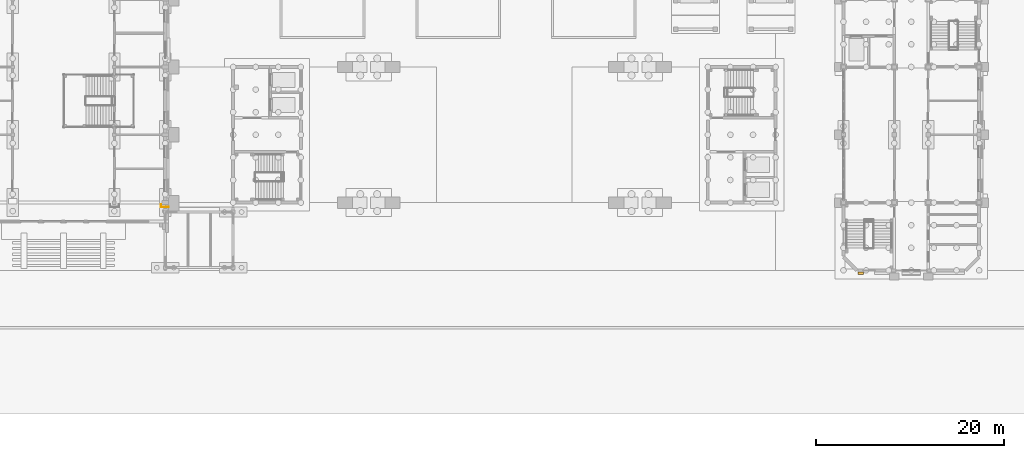
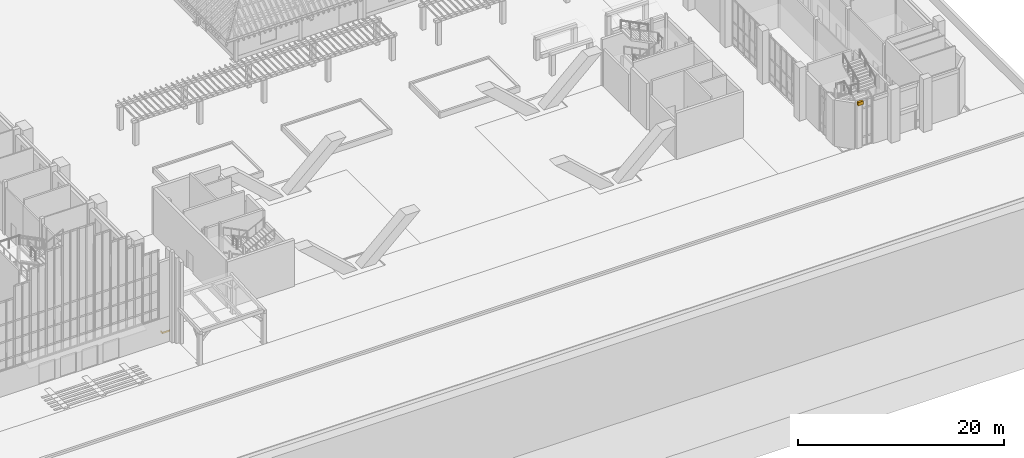
# One storey, part 82 of 84: 2 coverings.
"""IFC4 building model written with IfcOpenShell, lengths in metres."""

from ifc_helpers import new_model, si_unit, direction, frame, origin, place, context, subcontext, project, spatial, polyline, outline, extrude, material, layer, layer_set, type_object, element, save


model = new_model("IFC4")

# Units and contexts
model_context = context("Model", 3, precision=1e-05, world=origin(), true_north=direction((0.0, 1.0)))
body_context = subcontext(model_context, "Body", "Model", "MODEL_VIEW")
ifc_project = project(units=[si_unit("LENGTHUNIT", "METRE"), si_unit("AREAUNIT", "SQUARE_METRE"), si_unit("VOLUMEUNIT", "CUBIC_METRE"), si_unit("PLANEANGLEUNIT", "RADIAN"), si_unit("MASSUNIT", "GRAM", prefix="KILO")], contexts=[model_context])

# Site, building, storey
site_placement = place(None, origin())
site = spatial("IfcSite", under=ifc_project, at=site_placement, CompositionType="ELEMENT")
building_placement = place(site_placement, origin())
building = spatial("IfcBuilding", under=site, at=building_placement, Name="Mazhai Court Health Centre", CompositionType="ELEMENT")
storey_placement = place(building_placement, origin())
storey = spatial("IfcBuildingStorey", under=building, at=storey_placement, Name="L00", CompositionType="ELEMENT", Elevation=0.0)

# Coverings
ifc_material_1 = material(Name="Clay brick masonry", Category="masonry")
ifc_layer_1 = layer(ifc_material_1, 0.25)
ifc_layer_set_1 = layer_set([ifc_layer_1], Name="BRICK BAND 250")
covering_type_1 = type_object("IfcCoveringType", Name="BRICK BAND 250", PredefinedType="MOLDING", material=ifc_layer_set_1)
covering_1_placement = place(storey_placement, frame((0.0, 0.0, 5.25)))
element("IfcCovering", 1, at=covering_1_placement, inside=storey, type_object=covering_type_1, Name="EB-V6-L00-Sp0-0", PredefinedType="MOLDING", context=body_context, shape_type="SweptSolid", body=[
    extrude(outline(polyline([(137.919921875, 6.034912109375), (137.3310546875, 6.034912109375), (137.3310546875, 5.784912109375), (137.919921875, 5.784912109375), (137.919921875, 6.034912109375)])), origin(), (0.0, 0.0, 1.0), 0.39990234375),
])
ifc_material_2 = material(Name="Planted topsoil and lawn")
ifc_layer_2 = layer(ifc_material_2, 0.199951171875)
ifc_layer_set_2 = layer_set([ifc_layer_2], Name="SITE GROUND PLANTED SOIL 200")
covering_type_2 = type_object("IfcCoveringType", Name="SITE GROUND PLANTED SOIL 200", PredefinedType="FLOORING", material=ifc_layer_set_2)
covering_2_placement = place(storey_placement, frame((0.0, 0.0, -0.199951171875)))
element("IfcCovering", 2, at=covering_2_placement, inside=storey, type_object=covering_type_2, Name="Site ground 2", PredefinedType="FLOORING", context=body_context, shape_type="SweptSolid", body=[
    extrude(outline(polyline([(63.35009765625, 13.235107421875), (63.35009765625, 12.949951171875), (64.159912109375, 12.949951171875), (64.159912109375, 12.89990234375), (63.300048828125, 12.89990234375), (63.300048828125, 13.235107421875), (63.35009765625, 13.235107421875)])), origin(), (0.0, 0.0, 1.0), 0.199951171875),
])

save(model, "model.ifc")
